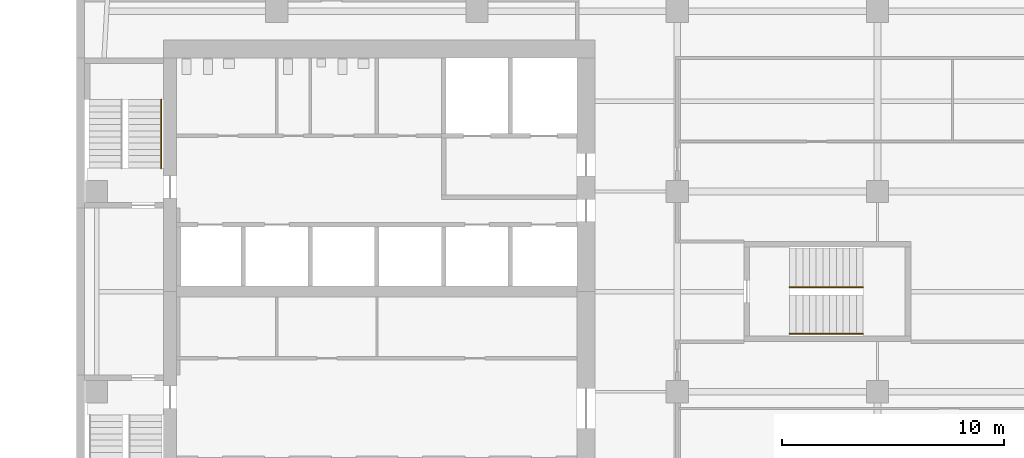
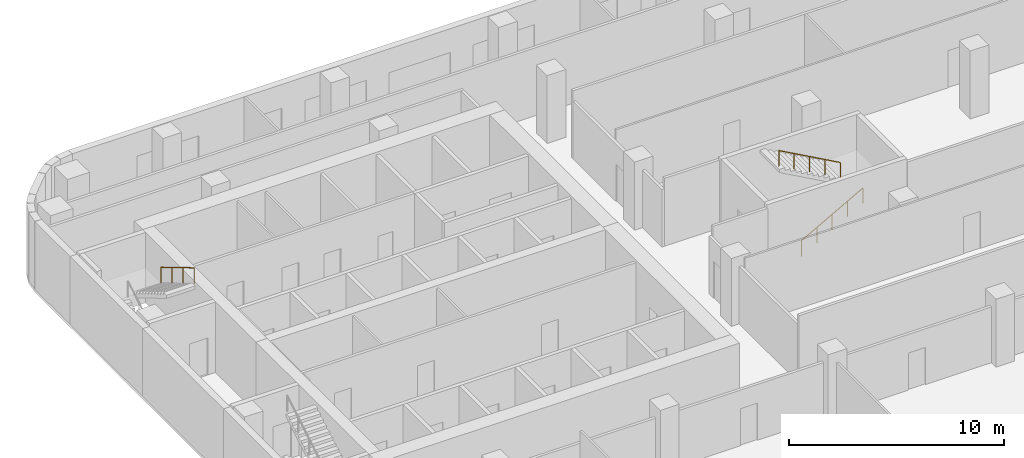
# One storey, part 13 of 14: 3 railings, 2 elements without a shape of their own.
"""IFC4 building model written with IfcOpenShell, lengths in metres."""

from ifc_helpers import new_model, si_unit, direction, frame, origin, origin_2d, place, context, subcontext, project, spatial, circle, extrude, material, type_object, element, aggregate, save


model = new_model("IFC4")

# Units and contexts
model_context = context("Model", 3, precision=1e-05, world=origin(), true_north=direction((0.0, 1.0)))
body_context = subcontext(model_context, "Body", "Model", "MODEL_VIEW")
ifc_project = project(units=[si_unit("LENGTHUNIT", "METRE"), si_unit("AREAUNIT", "SQUARE_METRE"), si_unit("VOLUMEUNIT", "CUBIC_METRE"), si_unit("PLANEANGLEUNIT", "RADIAN"), si_unit("MASSUNIT", "GRAM", prefix="KILO")], contexts=[model_context])

# Site, building, storey
site_placement = place(None, origin())
site = spatial("IfcSite", under=ifc_project, at=site_placement, CompositionType="ELEMENT")
building_placement = place(site_placement, origin())
building = spatial("IfcBuilding", under=site, at=building_placement, Name="Cinnabar Reach Civic Tower", CompositionType="ELEMENT")
storey_placement = place(building_placement, frame((0.0, 0.0, 108.0)))
storey = spatial("IfcBuildingStorey", under=building, at=storey_placement, Name="L25", CompositionType="ELEMENT", Elevation=108.0)

# Stair, railing
ifc_material_1 = material(Name="Concrete C40/50", Category="concrete")
stair_type = type_object("IfcStairType", Name="T1 Exit stair, half-turn", PredefinedType="HALF_TURN_STAIR", material=ifc_material_1)
stair_1_placement = place(storey_placement, origin())
stair_1 = element("IfcStair", 1, at=stair_1_placement, inside=storey, type_object=stair_type, Name="Stair T1-S2", PredefinedType="HALF_TURN_STAIR")
ifc_material_2 = material(Name="Stainless steel tube", Category="steel")
railing_type = type_object("IfcRailingType", Name="T1 Stair handrail, stainless tube 48", PredefinedType="HANDRAIL", material=ifc_material_2)
railing_1_placement = place(storey_placement, frame((3.8, 40.13, 2.1667)))
railing_1 = element("IfcRailing", 2, at=railing_1_placement, type_object=railing_type, Name="T1-S2 handrail 2", PredefinedType="HANDRAIL", context=body_context, shape_type="SweptSolid", body=[
    extrude(circle(Radius=0.024, at=origin_2d()), frame((0.0, 0.0, 0.876), z_axis=(0.0, -0.859296971757, 0.511476992962), x_axis=(1.0, 0.0, 0.0)), (0.0, 0.0, 1.0), 3.5843),
    extrude(circle(Radius=0.021, at=origin_2d()), origin(), (0.0, 0.0, 1.0), 0.852),
    extrude(circle(Radius=0.021, at=origin_2d()), frame((0.0, -1.0267, 0.6111)), (0.0, 0.0, 1.0), 0.852),
    extrude(circle(Radius=0.021, at=origin_2d()), frame((0.0, -2.0533, 1.2222)), (0.0, 0.0, 1.0), 0.852),
    extrude(circle(Radius=0.021, at=origin_2d()), frame((0.0, -3.08, 1.8333)), (0.0, 0.0, 1.0), 0.852),
])
aggregate(stair_1, [railing_1])

# Stair, railings
stair_2_placement = place(storey_placement, origin())
stair_2 = element("IfcStair", 3, at=stair_2_placement, inside=storey, type_object=stair_type, Name="Stair T1-S3", PredefinedType="HALF_TURN_STAIR")
railing_2_placement = place(storey_placement, frame((32.05, 29.6, 0.1667)))
railing_2 = element("IfcRailing", 4, at=railing_2_placement, type_object=railing_type, Name="T1-S3 handrail 1", PredefinedType="HANDRAIL", context=body_context, shape_type="SweptSolid", body=[
    extrude(circle(Radius=0.024, at=origin_2d()), frame((0.0, 0.0, 0.876), z_axis=(0.874161024642, 0.0, 0.485636183781), x_axis=(0.0, 1.0, 0.0)), (0.0, 0.0, 1.0), 3.775),
    extrude(circle(Radius=0.021, at=origin_2d()), origin(), (0.0, 0.0, 1.0), 0.852),
    extrude(circle(Radius=0.021, at=origin_2d()), frame((0.825, 0.0, 0.4583)), (0.0, 0.0, 1.0), 0.852),
    extrude(circle(Radius=0.021, at=origin_2d()), frame((1.65, 0.0, 0.9166)), (0.0, 0.0, 1.0), 0.852),
    extrude(circle(Radius=0.021, at=origin_2d()), frame((2.475, 0.0, 1.375)), (0.0, 0.0, 1.0), 0.852),
    extrude(circle(Radius=0.021, at=origin_2d()), frame((3.3, 0.0, 1.8333)), (0.0, 0.0, 1.0), 0.852),
])
railing_3_placement = place(storey_placement, frame((35.35, 31.7, 2.1667)))
railing_3 = element("IfcRailing", 5, at=railing_3_placement, type_object=railing_type, Name="T1-S3 handrail 2", PredefinedType="HANDRAIL", context=body_context, shape_type="SweptSolid", body=[
    extrude(circle(Radius=0.024, at=origin_2d()), frame((0.0, 0.0, 0.876), z_axis=(-0.874161024642, 0.0, 0.485636183781), x_axis=(0.0, -1.0, 0.0)), (0.0, 0.0, 1.0), 3.775),
    extrude(circle(Radius=0.021, at=origin_2d()), origin(), (0.0, 0.0, 1.0), 0.852),
    extrude(circle(Radius=0.021, at=origin_2d()), frame((-0.825, 0.0, 0.4583)), (0.0, 0.0, 1.0), 0.852),
    extrude(circle(Radius=0.021, at=origin_2d()), frame((-1.65, 0.0, 0.9166)), (0.0, 0.0, 1.0), 0.852),
    extrude(circle(Radius=0.021, at=origin_2d()), frame((-2.475, 0.0, 1.375)), (0.0, 0.0, 1.0), 0.852),
    extrude(circle(Radius=0.021, at=origin_2d()), frame((-3.3, 0.0, 1.8333)), (0.0, 0.0, 1.0), 0.852),
])
aggregate(stair_2, [railing_2, railing_3])

save(model, "model.ifc")
